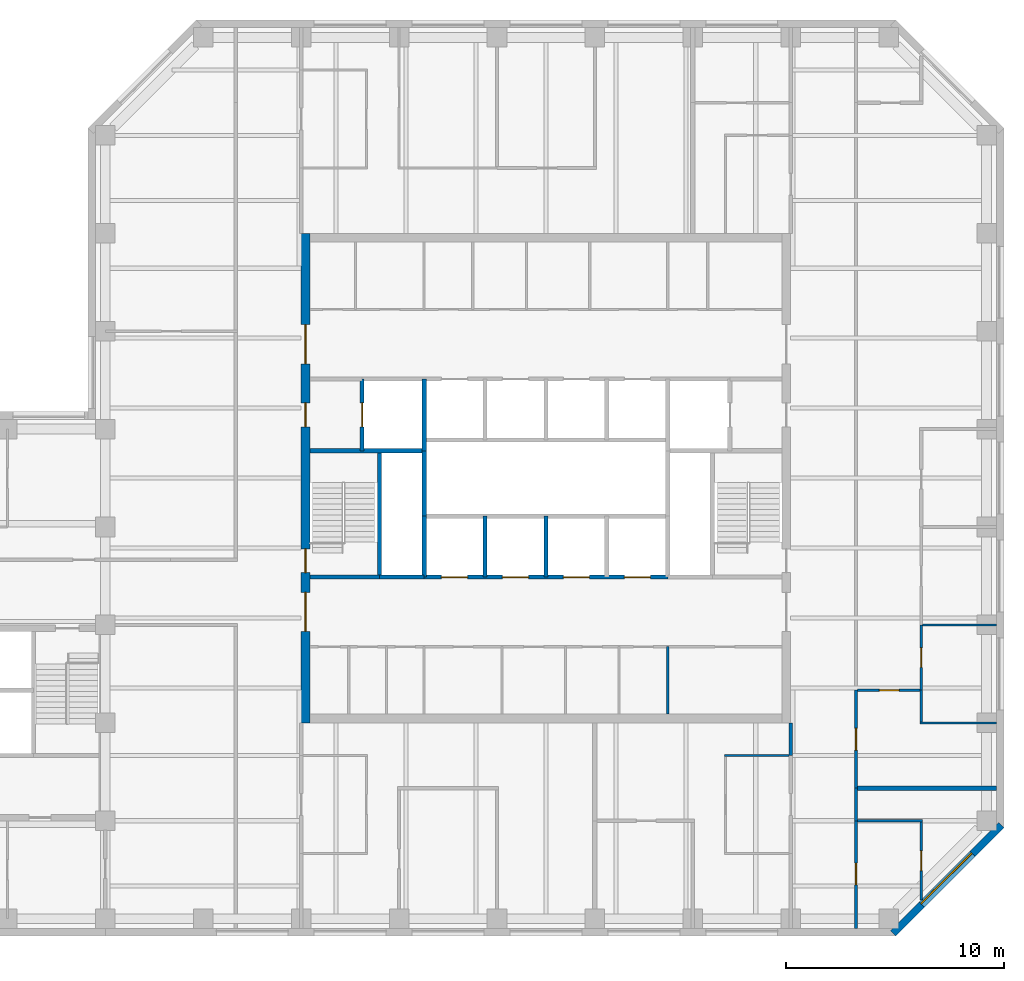
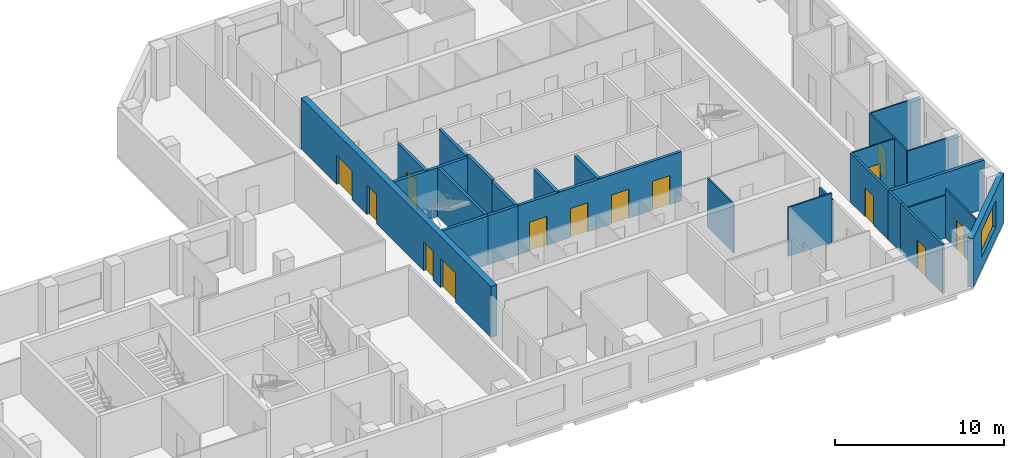
# One storey, part 5 of 9: 27 walls, 14 doors, 1 window, 15 openings.
"""IFC4 building model written with IfcOpenShell, lengths in metres."""

from ifc_helpers import new_model, si_unit, direction, frame, frame_2d, origin, place, context, subcontext, project, spatial, rectangle, extrude, material, layer, layer_set, constituent, constituent_set, type_object, element, fill, save


model = new_model("IFC4")

# Units and contexts
model_context = context("Model", 3, precision=1e-05, world=origin(), true_north=direction((0.0, 1.0)))
body_context = subcontext(model_context, "Body", "Model", "MODEL_VIEW")
ifc_project = project(units=[si_unit("LENGTHUNIT", "METRE"), si_unit("AREAUNIT", "SQUARE_METRE"), si_unit("VOLUMEUNIT", "CUBIC_METRE"), si_unit("PLANEANGLEUNIT", "RADIAN"), si_unit("MASSUNIT", "GRAM", prefix="KILO")], contexts=[model_context])

# Site, building, storey
site_placement = place(None, origin())
site = spatial("IfcSite", under=ifc_project, at=site_placement, CompositionType="ELEMENT")
building_placement = place(site_placement, origin())
building = spatial("IfcBuilding", under=site, at=building_placement, Name="Quoin Convention Tower", CompositionType="ELEMENT")
storey_placement = place(building_placement, frame((0.0, 0.0, 166.199951171875)))
storey = spatial("IfcBuildingStorey", under=building, at=storey_placement, Name="L43", CompositionType="ELEMENT", Elevation=166.199951171875)

# Wall, opening, window
ifc_material_1 = material(Name="Brick masonry", Category="masonry")
ifc_layer_1 = layer(ifc_material_1, 0.35009765625)
ifc_layer_set_1 = layer_set([ifc_layer_1], Name="Brick masonry")
wall_type_1 = type_object("IfcWallType", Name="Brick facade wall", PredefinedType="STANDARD", material=ifc_layer_set_1)
wall_1_placement = place(storey_placement, frame((72.20751953125, 39.82373046875, 0.0), z_axis=(0.0, 0.0, 1.0), x_axis=(0.707106781187, 0.707106781187, 0.0)))
wall_1 = element("IfcWall", 1, at=wall_1_placement, inside=storey, type_object=wall_type_1, Name="fw-L43-72000_40500", PredefinedType="STANDARD", context=body_context, shape_type="SweptSolid", body=[
    extrude(rectangle(XDim=7.02685546875, YDim=0.35009765625, at=frame_2d((3.513427734375, 0.0))), origin(), (0.0, 0.0, 1.0), 3.525146484375),
])
opening_1_placement = place(wall_1_placement, frame((1.86328125, 0.0, 0.89990234375)))
opening_1 = element("IfcOpeningElement", 2, at=opening_1_placement, cuts=wall_1, Name="Opening W-02", PredefinedType="OPENING", context=body_context, shape_type="SweptSolid", body=[
    extrude(rectangle(XDim=3.300048828125, YDim=1.89990234375, at=frame_2d((1.64990234375, 0.949951171875))), frame((0.0, 0.18505859375, 0.0), z_axis=(0.0, -1.0, 0.0), x_axis=(1.0, 0.0, 0.0)), (0.0, 0.0, 1.0), 0.3701171875),
])
ifc_material_2 = material(Name="Aluminium", Category="aluminium")
ifc_constituent_1 = constituent(ifc_material_2, Name="Frame")
ifc_material_3 = material(Name="Insulated glass", Category="glass")
ifc_constituent_2 = constituent(ifc_material_3, Name="Glazing")
ifc_constituent_set = constituent_set(constituents=[ifc_constituent_1, ifc_constituent_2], Name="Aluminium")
window_type = type_object("IfcWindowType", Name="Office window", PartitioningType="DOUBLE_PANEL_VERTICAL", PredefinedType="WINDOW", material=ifc_constituent_set)
window_placement = place(opening_1_placement, origin())
window = element("IfcWindow", 3, at=window_placement, inside=storey, type_object=window_type, Name="win-L43-74692_42308", OverallHeight=1.89990234375, OverallWidth=3.300048828125, PartitioningType="SINGLE_PANEL", PredefinedType="WINDOW", context=body_context, shape_type="SweptSolid", body=[
    extrude(rectangle(XDim=3.300048828125, YDim=1.89990234375, at=frame_2d((1.64990234375, 0.949951171875))), frame((0.0, 0.0849609375, 0.0), z_axis=(0.0, -1.0, 0.0), x_axis=(1.0, 0.0, 0.0)), (0.0, 0.0, 1.0), 0.06005859375),
])
fill(opening_1, window)

# Walls
ifc_material_4 = material(Name="Plasterboard")
ifc_layer_2 = layer(ifc_material_4, 0.012451171875, Name="Finish")
ifc_material_5 = material(Name="Steel stud framing", Category="steel")
ifc_layer_3 = layer(ifc_material_5, 0.074951171875, Name="Structure")
ifc_layer_4 = layer(ifc_material_4, 0.012451171875, Name="Finish")
ifc_layer_set_2 = layer_set([ifc_layer_2, ifc_layer_3, ifc_layer_4], Name="Steel stud framing")
wall_type_2 = type_object("IfcWallType", Name="Core partition wall", PredefinedType="PARTITIONING", material=ifc_layer_set_2)
wall_2_placement = place(storey_placement, frame((61.85009765625, 49.89990234375, 0.0), z_axis=(0.0, 0.0, 1.0), x_axis=(0.0, 1.0, 0.0)))
element("IfcWall", 4, at=wall_2_placement, inside=storey, type_object=wall_type_2, Name="cr-C1-L43-v16850_400", PredefinedType="PARTITIONING", context=body_context, shape_type="SweptSolid", body=[
    extrude(rectangle(XDim=3.10009765625, YDim=0.10009765625, at=frame_2d((1.550048828125, 0.0))), origin(), (0.0, 0.0, 1.0), 3.550048828125),
])
ifc_material_6 = material(Name="Concrete C50", Category="concrete")
ifc_layer_5 = layer(ifc_material_6, 0.199951171875)
ifc_layer_set_3 = layer_set([ifc_layer_5], Name="Concrete C50")
wall_type_3 = type_object("IfcWallType", Name="Core shaft wall", PredefinedType="SOLIDWALL", material=ifc_layer_set_3)
wall_3_placement = place(storey_placement, frame((48.60009765625, 56.199951171875, 0.0), z_axis=(0.0, 0.0, 1.0), x_axis=(1.0, 0.0, 0.0)))
element("IfcWall", 5, at=wall_3_placement, inside=storey, type_object=wall_type_3, Name="cr-C1-L43-h6700_3600", PredefinedType="SOLIDWALL", context=body_context, shape_type="SweptSolid", body=[
    extrude(rectangle(XDim=2.0498046875, YDim=0.199951171875, at=frame_2d((1.02490234375, 0.0))), origin(), (0.0, 0.0, 1.0), 3.550048828125),
])
wall_4_placement = place(storey_placement, frame((45.39990234375, 56.199951171875, 0.0), z_axis=(0.0, 0.0, 1.0), x_axis=(1.0, 0.0, 0.0)))
element("IfcWall", 6, at=wall_4_placement, inside=storey, type_object=wall_type_3, Name="cr-C1-L43-h6700_400", PredefinedType="SOLIDWALL", context=body_context, shape_type="SweptSolid", body=[
    extrude(rectangle(XDim=3.2001953125, YDim=0.199951171875, at=frame_2d((1.60009765625, 0.0))), origin(), (0.0, 0.0, 1.0), 3.550048828125),
])

# Wall, openings, doors
wall_5_placement = place(storey_placement, frame((50.64990234375, 56.199951171875, 0.0), z_axis=(0.0, 0.0, 1.0), x_axis=(1.0, 0.0, 0.0)))
wall_5 = element("IfcWall", 7, at=wall_5_placement, inside=storey, type_object=wall_type_3, Name="cr-C1-L43-h6700_5650", PredefinedType="SOLIDWALL", context=body_context, shape_type="SweptSolid", body=[
    extrude(rectangle(XDim=11.2001953125, YDim=0.199951171875, at=frame_2d((5.60009765625, 0.0))), origin(), (0.0, 0.0, 1.0), 3.550048828125),
])
opening_2_placement = place(wall_5_placement, frame((0.800048828125, 0.0, 0.0)))
opening_2 = element("IfcOpeningElement", 8, at=opening_2_placement, cuts=wall_5, Name="Opening LDH1", PredefinedType="OPENING", context=body_context, shape_type="SweptSolid", body=[
    extrude(rectangle(XDim=1.199951171875, YDim=2.10009765625, at=frame_2d((0.60009765625, 1.050048828125))), frame((0.0, 0.10986328125, 0.0), z_axis=(0.0, -1.0, 0.0), x_axis=(1.0, 0.0, 0.0)), (0.0, 0.0, 1.0), 0.219970703125),
])
opening_3_placement = place(wall_5_placement, frame((3.60009765625, 0.0, 0.0)))
opening_3 = element("IfcOpeningElement", 9, at=opening_3_placement, cuts=wall_5, Name="Opening LDH2", PredefinedType="OPENING", context=body_context, shape_type="SweptSolid", body=[
    extrude(rectangle(XDim=1.199951171875, YDim=2.10009765625, at=frame_2d((0.60009765625, 1.050048828125))), frame((0.0, 0.10986328125, 0.0), z_axis=(0.0, -1.0, 0.0), x_axis=(1.0, 0.0, 0.0)), (0.0, 0.0, 1.0), 0.219970703125),
])
opening_4_placement = place(wall_5_placement, frame((6.39990234375, 0.0, 0.0)))
opening_4 = element("IfcOpeningElement", 10, at=opening_4_placement, cuts=wall_5, Name="Opening LDH3", PredefinedType="OPENING", context=body_context, shape_type="SweptSolid", body=[
    extrude(rectangle(XDim=1.199951171875, YDim=2.10009765625, at=frame_2d((0.60009765625, 1.050048828125))), frame((0.0, 0.10986328125, 0.0), z_axis=(0.0, -1.0, 0.0), x_axis=(1.0, 0.0, 0.0)), (0.0, 0.0, 1.0), 0.219970703125),
])
opening_5_placement = place(wall_5_placement, frame((9.199951171875, 0.0, 0.0)))
opening_5 = element("IfcOpeningElement", 11, at=opening_5_placement, cuts=wall_5, Name="Opening LDH4", PredefinedType="OPENING", context=body_context, shape_type="SweptSolid", body=[
    extrude(rectangle(XDim=1.199951171875, YDim=2.10009765625, at=frame_2d((0.60009765625, 1.050048828125))), frame((0.0, 0.10986328125, 0.0), z_axis=(0.0, -1.0, 0.0), x_axis=(1.0, 0.0, 0.0)), (0.0, 0.0, 1.0), 0.219970703125),
])
ifc_material_7 = material(Name="Steel door leaf", Category="steel")
door_type_1 = type_object("IfcDoorType", Name="Lift landing door 1200 x 2100", OperationType="DOUBLE_DOOR_SLIDING", PredefinedType="DOOR", material=ifc_material_7)
door_1_placement = place(opening_2_placement, origin())
door_1 = element("IfcDoor", 12, at=door_1_placement, inside=storey, type_object=door_type_1, Name="cd-C1-L43-R20-lobA-LDH1", OperationType="DOUBLE_DOOR_SLIDING", OverallHeight=2.10009765625, OverallWidth=1.199951171875, PredefinedType="DOOR", context=body_context, shape_type="SweptSolid", body=[
    extrude(rectangle(XDim=1.199951171875, YDim=2.10009765625, at=frame_2d((0.60009765625, 1.050048828125))), frame((0.0, 0.02490234375, 0.0), z_axis=(0.0, -1.0, 0.0), x_axis=(1.0, 0.0, 0.0)), (0.0, 0.0, 1.0), 0.050048828125),
])
fill(opening_2, door_1)
door_2_placement = place(opening_3_placement, origin())
door_2 = element("IfcDoor", 13, at=door_2_placement, inside=storey, type_object=door_type_1, Name="cd-C1-L43-R21-lobA-LDH2", OperationType="DOUBLE_DOOR_SLIDING", OverallHeight=2.10009765625, OverallWidth=1.199951171875, PredefinedType="DOOR", context=body_context, shape_type="SweptSolid", body=[
    extrude(rectangle(XDim=1.199951171875, YDim=2.10009765625, at=frame_2d((0.60009765625, 1.050048828125))), frame((0.0, 0.02490234375, 0.0), z_axis=(0.0, -1.0, 0.0), x_axis=(1.0, 0.0, 0.0)), (0.0, 0.0, 1.0), 0.050048828125),
])
fill(opening_3, door_2)
door_3_placement = place(opening_4_placement, origin())
door_3 = element("IfcDoor", 14, at=door_3_placement, inside=storey, type_object=door_type_1, Name="cd-C1-L43-R22-lobA-LDH3", OperationType="DOUBLE_DOOR_SLIDING", OverallHeight=2.10009765625, OverallWidth=1.199951171875, PredefinedType="DOOR", context=body_context, shape_type="SweptSolid", body=[
    extrude(rectangle(XDim=1.199951171875, YDim=2.10009765625, at=frame_2d((0.60009765625, 1.050048828125))), frame((0.0, 0.02490234375, 0.0), z_axis=(0.0, -1.0, 0.0), x_axis=(1.0, 0.0, 0.0)), (0.0, 0.0, 1.0), 0.050048828125),
])
fill(opening_4, door_3)
door_4_placement = place(opening_5_placement, origin())
door_4 = element("IfcDoor", 15, at=door_4_placement, inside=storey, type_object=door_type_1, Name="cd-C1-L43-R23-lobA-LDH4", OperationType="DOUBLE_DOOR_SLIDING", OverallHeight=2.10009765625, OverallWidth=1.199951171875, PredefinedType="DOOR", context=body_context, shape_type="SweptSolid", body=[
    extrude(rectangle(XDim=1.199951171875, YDim=2.10009765625, at=frame_2d((0.60009765625, 1.050048828125))), frame((0.0, 0.02490234375, 0.0), z_axis=(0.0, -1.0, 0.0), x_axis=(1.0, 0.0, 0.0)), (0.0, 0.0, 1.0), 0.050048828125),
])
fill(opening_5, door_4)

# Wall
wall_6_placement = place(storey_placement, frame((45.39990234375, 62.0, 0.0), z_axis=(0.0, 0.0, 1.0), x_axis=(1.0, 0.0, 0.0)))
element("IfcWall", 16, at=wall_6_placement, inside=storey, type_object=wall_type_3, Name="cr-C1-L43-h12500_400", PredefinedType="SOLIDWALL", context=body_context, shape_type="SweptSolid", body=[
    extrude(rectangle(XDim=5.25, YDim=0.199951171875, at=frame_2d((2.625, 0.0))), origin(), (0.0, 0.0, 1.0), 3.550048828125),
])

# Wall, opening, door
wall_7_placement = place(storey_placement, frame((47.800048828125, 62.0, 0.0), z_axis=(0.0, 0.0, 1.0), x_axis=(0.0, 1.0, 0.0)))
wall_7 = element("IfcWall", 17, at=wall_7_placement, inside=storey, type_object=wall_type_3, Name="cr-C1-L43-v2800_12500", PredefinedType="SOLIDWALL", context=body_context, shape_type="SweptSolid", body=[
    extrude(rectangle(XDim=3.300048828125, YDim=0.199951171875, at=frame_2d((1.64990234375, 0.0))), origin(), (0.0, 0.0, 1.0), 3.550048828125),
])
opening_6_placement = place(wall_7_placement, frame((1.10009765625, 0.0, 0.0)))
opening_6 = element("IfcOpeningElement", 18, at=opening_6_placement, cuts=wall_7, Name="Opening LDFL1", PredefinedType="OPENING", context=body_context, shape_type="SweptSolid", body=[
    extrude(rectangle(XDim=1.10009765625, YDim=2.10009765625, at=frame_2d((0.550048828125, 1.050048828125))), frame((0.0, 0.10986328125, 0.0), z_axis=(0.0, -1.0, 0.0), x_axis=(1.0, 0.0, 0.0)), (0.0, 0.0, 1.0), 0.219970703125),
])
door_type_2 = type_object("IfcDoorType", Name="Lift landing door 1100 x 2100", OperationType="DOUBLE_DOOR_SLIDING", PredefinedType="DOOR", material=ifc_material_7)
door_5_placement = place(opening_6_placement, origin())
door_5 = element("IfcDoor", 19, at=door_5_placement, inside=storey, type_object=door_type_2, Name="cd-C1-L43-FLW-FFW-LDFL1", OperationType="DOUBLE_DOOR_SLIDING", OverallHeight=2.10009765625, OverallWidth=1.10009765625, PredefinedType="DOOR", context=body_context, shape_type="SweptSolid", body=[
    extrude(rectangle(XDim=1.10009765625, YDim=2.10009765625, at=frame_2d((0.550048828125, 1.050048828125))), frame((0.0, 0.02490234375, 0.0), z_axis=(0.0, -1.0, 0.0), x_axis=(1.0, 0.0, 0.0)), (0.0, 0.0, 1.0), 0.050048828125),
])
fill(opening_6, door_5)

# Walls
wall_8_placement = place(storey_placement, frame((48.60009765625, 56.199951171875, 0.0), z_axis=(0.0, 0.0, 1.0), x_axis=(0.0, 1.0, 0.0)))
element("IfcWall", 20, at=wall_8_placement, inside=storey, type_object=wall_type_3, Name="cr-C1-L43-v3600_6700", PredefinedType="SOLIDWALL", context=body_context, shape_type="SweptSolid", body=[
    extrude(rectangle(XDim=5.800048828125, YDim=0.199951171875, at=frame_2d((2.89990234375, 0.0))), origin(), (0.0, 0.0, 1.0), 3.550048828125),
])
wall_9_placement = place(storey_placement, frame((50.64990234375, 56.199951171875, 0.0), z_axis=(0.0, 0.0, 1.0), x_axis=(0.0, 1.0, 0.0)))
element("IfcWall", 21, at=wall_9_placement, inside=storey, type_object=wall_type_3, Name="cr-C1-L43-v5650_6700", PredefinedType="SOLIDWALL", context=body_context, shape_type="SweptSolid", body=[
    extrude(rectangle(XDim=2.800048828125, YDim=0.199951171875, at=frame_2d((1.39990234375, 0.0))), origin(), (0.0, 0.0, 1.0), 3.550048828125),
])
wall_10_placement = place(storey_placement, frame((50.64990234375, 62.0, 0.0), z_axis=(0.0, 0.0, 1.0), x_axis=(0.0, 1.0, 0.0)))
element("IfcWall", 22, at=wall_10_placement, inside=storey, type_object=wall_type_3, Name="cr-C1-L43-v5650_12500", PredefinedType="SOLIDWALL", context=body_context, shape_type="SweptSolid", body=[
    extrude(rectangle(XDim=3.300048828125, YDim=0.199951171875, at=frame_2d((1.64990234375, 0.0))), origin(), (0.0, 0.0, 1.0), 3.550048828125),
])
for number, where, z_axis, x_axis, name in (
    (23, (53.449951171875, 56.199951171875, 0.0), (0.0, 0.0, 1.0), (0.0, 1.0, 0.0), "cr-C1-L43-v8450_6700"),
    (24, (56.25, 56.199951171875, 0.0), (0.0, 0.0, 1.0), (0.0, 1.0, 0.0), "cr-C1-L43-v11250_6700"),
):
    element("IfcWall", number, at=place(storey_placement, frame(where, z_axis=z_axis, x_axis=x_axis)), inside=storey, type_object=wall_type_3, Name=name, PredefinedType="SOLIDWALL", context=body_context, shape_type="SweptSolid", body=[
        extrude(rectangle(XDim=2.800048828125, YDim=0.199951171875, at=frame_2d((1.39990234375, 0.0))), origin(), (0.0, 0.0, 1.0), 3.550048828125),
    ])
ifc_layer_6 = layer(ifc_material_6, 0.199951171875)
ifc_layer_set_4 = layer_set([ifc_layer_6], Name="Concrete C50")
wall_type_4 = type_object("IfcWallType", Name="Core shaft wall to the floor level over", PredefinedType="SOLIDWALL", material=ifc_layer_set_4)
wall_11_placement = place(storey_placement, frame((50.64990234375, 59.0, 0.0), z_axis=(0.0, 0.0, 1.0), x_axis=(0.0, 1.0, 0.0)))
element("IfcWall", 25, at=wall_11_placement, inside=storey, type_object=wall_type_4, Name="cr-C1-L43-v5650_9500", PredefinedType="SOLIDWALL", context=body_context, shape_type="SweptSolid", body=[
    extrude(rectangle(XDim=3.0, YDim=0.199951171875, at=frame_2d((1.5, 0.0))), origin(), (0.0, 0.0, 1.0), 3.699951171875),
])

# Wall, opening, door
ifc_layer_7 = layer(ifc_material_4, 0.012451171875, Name="Finish")
ifc_layer_8 = layer(ifc_material_5, 0.125, Name="Structure")
ifc_layer_9 = layer(ifc_material_4, 0.012451171875, Name="Finish")
ifc_layer_set_5 = layer_set([ifc_layer_7, ifc_layer_8, ifc_layer_9], Name="Steel stud framing")
wall_type_5 = type_object("IfcWallType", Name="Corridor wall 150", PredefinedType="PARTITIONING", material=ifc_layer_set_5)
wall_12_placement = place(storey_placement, frame((70.5, 40.050048828125, 0.0), z_axis=(0.0, 0.0, 1.0), x_axis=(0.0, 1.0, 0.0)))
wall_12 = element("IfcWall", 26, at=wall_12_placement, inside=storey, type_object=wall_type_5, Name="pw-L43-044", PredefinedType="PARTITIONING", context=body_context, shape_type="SweptSolid", body=[
    extrude(rectangle(XDim=4.949951171875, YDim=0.14990234375, at=frame_2d((2.47509765625, 0.0))), origin(), (0.0, 0.0, 1.0), 3.550048828125),
])
opening_7_placement = place(wall_12_placement, frame((2.0, 0.0, 0.0)))
opening_7 = element("IfcOpeningElement", 27, at=opening_7_placement, cuts=wall_12, Name="Opening DOH3-09", PredefinedType="OPENING", context=body_context, shape_type="SweptSolid", body=[
    extrude(rectangle(XDim=1.0, YDim=2.10009765625, at=frame_2d((0.5, 1.050048828125))), frame((0.0, 0.0849609375, 0.0), z_axis=(0.0, -1.0, 0.0), x_axis=(1.0, 0.0, 0.0)), (0.0, 0.0, 1.0), 0.169921875),
])
door_type_3 = type_object("IfcDoorType", Name="Tenancy entrance door 1000 x 2100", OperationType="DOUBLE_DOOR_SINGLE_SWING", PredefinedType="DOOR", material=ifc_material_7)
door_6_placement = place(opening_7_placement, frame((1.0, 0.0, 0.0), z_axis=(0.0, 0.0, 1.0), x_axis=(-1.0, 0.0, 0.0)))
door_6 = element("IfcDoor", 28, at=door_6_placement, inside=storey, type_object=door_type_3, Name="dr-L43-21", OperationType="DOUBLE_DOOR_SINGLE_SWING", OverallHeight=2.10009765625, OverallWidth=1.0, PredefinedType="DOOR", context=body_context, shape_type="SweptSolid", body=[
    extrude(rectangle(XDim=1.0, YDim=2.10009765625, at=frame_2d((0.5, 1.050048828125))), frame((0.0, 0.02490234375, 0.0), z_axis=(0.0, -1.0, 0.0), x_axis=(1.0, 0.0, 0.0)), (0.0, 0.0, 1.0), 0.050048828125),
])
fill(opening_7, door_6)

# Wall
wall_13_placement = place(storey_placement, frame((70.5, 45.0, 0.0), z_axis=(0.0, 0.0, 1.0), x_axis=(0.0, 1.0, 0.0)))
element("IfcWall", 29, at=wall_13_placement, inside=storey, type_object=wall_type_5, Name="pw-L43-053", PredefinedType="PARTITIONING", context=body_context, shape_type="SweptSolid", body=[
    extrude(rectangle(XDim=1.5, YDim=0.14990234375, at=frame_2d((0.75, 0.0))), origin(), (0.0, 0.0, 1.0), 3.550048828125),
])

# Wall, opening, door
wall_14_placement = place(storey_placement, frame((70.5, 46.5, 0.0), z_axis=(0.0, 0.0, 1.0), x_axis=(0.0, 1.0, 0.0)))
wall_14 = element("IfcWall", 30, at=wall_14_placement, inside=storey, type_object=wall_type_5, Name="pw-L43-056", PredefinedType="PARTITIONING", context=body_context, shape_type="SweptSolid", body=[
    extrude(rectangle(XDim=4.5, YDim=0.14990234375, at=frame_2d((2.25, 0.0))), origin(), (0.0, 0.0, 1.0), 3.550048828125),
])
opening_8_placement = place(wall_14_placement, frame((1.75, 0.0, 0.0)))
opening_8 = element("IfcOpeningElement", 31, at=opening_8_placement, cuts=wall_14, Name="Opening DOH3-16", PredefinedType="OPENING", context=body_context, shape_type="SweptSolid", body=[
    extrude(rectangle(XDim=1.0, YDim=2.10009765625, at=frame_2d((0.5, 1.050048828125))), frame((0.0, 0.0849609375, 0.0), z_axis=(0.0, -1.0, 0.0), x_axis=(1.0, 0.0, 0.0)), (0.0, 0.0, 1.0), 0.169921875),
])
door_7_placement = place(opening_8_placement, frame((1.0, 0.0, 0.0), z_axis=(0.0, 0.0, 1.0), x_axis=(-1.0, 0.0, 0.0)))
door_7 = element("IfcDoor", 32, at=door_7_placement, inside=storey, type_object=door_type_3, Name="dr-L43-23", OperationType="DOUBLE_DOOR_SINGLE_SWING", OverallHeight=2.10009765625, OverallWidth=1.0, PredefinedType="DOOR", context=body_context, shape_type="SweptSolid", body=[
    extrude(rectangle(XDim=1.0, YDim=2.10009765625, at=frame_2d((0.5, 1.050048828125))), frame((0.0, 0.02490234375, 0.0), z_axis=(0.0, -1.0, 0.0), x_axis=(1.0, 0.0, 0.0)), (0.0, 0.0, 1.0), 0.050048828125),
])
fill(opening_8, door_7)

# Wall
ifc_layer_10 = layer(ifc_material_4, 0.012451171875, Name="Finish")
ifc_layer_11 = layer(ifc_material_5, 0.125, Name="Structure")
ifc_layer_12 = layer(ifc_material_4, 0.012451171875, Name="Finish")
ifc_layer_set_6 = layer_set([ifc_layer_10, ifc_layer_11, ifc_layer_12], Name="Steel stud framing")
wall_type_6 = type_object("IfcWallType", Name="Corridor wall 150 under beam 528", PredefinedType="PARTITIONING", material=ifc_layer_set_6)
wall_15_placement = place(storey_placement, frame((67.5, 48.0, 0.0), z_axis=(0.0, 0.0, 1.0), x_axis=(0.0, 1.0, 0.0)))
element("IfcWall", 33, at=wall_15_placement, inside=storey, type_object=wall_type_6, Name="pw-L43-059", PredefinedType="PARTITIONING", context=body_context, shape_type="SweptSolid", body=[
    extrude(rectangle(XDim=1.5, YDim=0.14990234375, at=frame_2d((0.75, 0.0))), origin(), (0.0, 0.0, 1.0), 3.02197265625),
])

# Wall, openings, doors
ifc_layer_13 = layer(ifc_material_6, 0.39990234375)
ifc_layer_set_7 = layer_set([ifc_layer_13], Name="Concrete C50")
wall_type_7 = type_object("IfcWallType", Name="RC CORE WALL 400 C50", PredefinedType="SHEAR", material=ifc_layer_set_7)
wall_16_placement = place(storey_placement, frame((45.199951171875, 49.5, 0.0), z_axis=(0.0, 0.0, 1.0), x_axis=(0.0, 1.0, 0.0)))
wall_16 = element("IfcWall", 34, at=wall_16_placement, inside=storey, type_object=wall_type_7, Name="cwl-C1-L43-W", PredefinedType="SHEAR", context=body_context, shape_type="SweptSolid", body=[
    extrude(rectangle(XDim=22.5, YDim=0.39990234375, at=frame_2d((11.25, 0.0))), origin(), (0.0, 0.0, 1.0), 3.699951171875),
])
opening_9_placement = place(wall_16_placement, frame((4.199951171875, 0.0, 0.0)))
opening_9 = element("IfcOpeningElement", 35, at=opening_9_placement, cuts=wall_16, Name="Opening DCV3-40", PredefinedType="OPENING", context=body_context, shape_type="SweptSolid", body=[
    extrude(rectangle(XDim=1.800048828125, YDim=2.10009765625, at=frame_2d((0.89990234375, 1.050048828125))), frame((0.0, 0.2099609375, 0.0), z_axis=(0.0, -1.0, 0.0), x_axis=(1.0, 0.0, 0.0)), (0.0, 0.0, 1.0), 0.419921875),
])
opening_10_placement = place(wall_16_placement, frame((6.89990234375, 0.0, 0.0)))
opening_10 = element("IfcOpeningElement", 36, at=opening_10_placement, cuts=wall_16, Name="Opening SD1", PredefinedType="OPENING", context=body_context, shape_type="SweptSolid", body=[
    extrude(rectangle(XDim=1.10009765625, YDim=2.10009765625, at=frame_2d((0.550048828125, 1.050048828125))), frame((0.0, 0.2099609375, 0.0), z_axis=(0.0, -1.0, 0.0), x_axis=(1.0, 0.0, 0.0)), (0.0, 0.0, 1.0), 0.419921875),
])
opening_11_placement = place(wall_16_placement, frame((13.60009765625, 0.0, 0.0)))
opening_11 = element("IfcOpeningElement", 37, at=opening_11_placement, cuts=wall_16, Name="Opening DCV3-39", PredefinedType="OPENING", context=body_context, shape_type="SweptSolid", body=[
    extrude(rectangle(XDim=1.10009765625, YDim=2.10009765625, at=frame_2d((0.550048828125, 1.050048828125))), frame((0.0, 0.2099609375, 0.0), z_axis=(0.0, -1.0, 0.0), x_axis=(1.0, 0.0, 0.0)), (0.0, 0.0, 1.0), 0.419921875),
])
opening_12_placement = place(wall_16_placement, frame((16.5, 0.0, 0.0)))
opening_12 = element("IfcOpeningElement", 38, at=opening_12_placement, cuts=wall_16, Name="Opening DCV3-40", PredefinedType="OPENING", context=body_context, shape_type="SweptSolid", body=[
    extrude(rectangle(XDim=1.800048828125, YDim=2.10009765625, at=frame_2d((0.89990234375, 1.050048828125))), frame((0.0, 0.2099609375, 0.0), z_axis=(0.0, -1.0, 0.0), x_axis=(1.0, 0.0, 0.0)), (0.0, 0.0, 1.0), 0.419921875),
])
door_type_4 = type_object("IfcDoorType", Name="Fire-fighting lobby door 1100 x 2100", OperationType="SINGLE_SWING_LEFT", PredefinedType="DOOR", material=ifc_material_7)
door_8_placement = place(opening_11_placement, frame((1.10009765625, 0.0, 0.0), z_axis=(0.0, 0.0, 1.0), x_axis=(-1.0, 0.0, 0.0)))
door_8 = element("IfcDoor", 39, at=door_8_placement, inside=storey, type_object=door_type_4, Name="cd-C1-L43-FFW-W", OperationType="SINGLE_SWING_LEFT", OverallHeight=2.10009765625, OverallWidth=1.10009765625, PredefinedType="DOOR", context=body_context, shape_type="SweptSolid", body=[
    extrude(rectangle(XDim=1.10009765625, YDim=2.10009765625, at=frame_2d((0.550048828125, 1.050048828125))), frame((0.0, 0.02490234375, 0.0), z_axis=(0.0, -1.0, 0.0), x_axis=(1.0, 0.0, 0.0)), (0.0, 0.0, 1.0), 0.050048828125),
])
fill(opening_11, door_8)
door_type_5 = type_object("IfcDoorType", Name="Lift lobby door 1800 x 2100", OperationType="SINGLE_SWING_LEFT", PredefinedType="DOOR", material=ifc_material_7)
door_9_placement = place(opening_9_placement, frame((1.800048828125, 0.0, 0.0), z_axis=(0.0, 0.0, 1.0), x_axis=(-1.0, 0.0, 0.0)))
door_9 = element("IfcDoor", 40, at=door_9_placement, inside=storey, type_object=door_type_5, Name="cd-C1-L43-lobA-W", OperationType="SINGLE_SWING_LEFT", OverallHeight=2.10009765625, OverallWidth=1.800048828125, PredefinedType="DOOR", context=body_context, shape_type="SweptSolid", body=[
    extrude(rectangle(XDim=1.800048828125, YDim=2.10009765625, at=frame_2d((0.89990234375, 1.050048828125))), frame((0.0, 0.02490234375, 0.0), z_axis=(0.0, -1.0, 0.0), x_axis=(1.0, 0.0, 0.0)), (0.0, 0.0, 1.0), 0.050048828125),
])
fill(opening_9, door_9)
door_10_placement = place(opening_12_placement, frame((1.800048828125, 0.0, 0.0), z_axis=(0.0, 0.0, 1.0), x_axis=(-1.0, 0.0, 0.0)))
door_10 = element("IfcDoor", 41, at=door_10_placement, inside=storey, type_object=door_type_5, Name="cd-C1-L43-lobB-W", OperationType="SINGLE_SWING_LEFT", OverallHeight=2.10009765625, OverallWidth=1.800048828125, PredefinedType="DOOR", context=body_context, shape_type="SweptSolid", body=[
    extrude(rectangle(XDim=1.800048828125, YDim=2.10009765625, at=frame_2d((0.89990234375, 1.050048828125))), frame((0.0, 0.02490234375, 0.0), z_axis=(0.0, -1.0, 0.0), x_axis=(1.0, 0.0, 0.0)), (0.0, 0.0, 1.0), 0.050048828125),
])
fill(opening_12, door_10)
door_type_6 = type_object("IfcDoorType", Name="Stair door 1100 x 2100", OperationType="SINGLE_SWING_RIGHT", PredefinedType="DOOR", material=ifc_material_7)
door_11_placement = place(opening_10_placement, frame((1.10009765625, 0.0, 0.0), z_axis=(0.0, 0.0, 1.0), x_axis=(-1.0, 0.0, 0.0)))
door_11 = element("IfcDoor", 42, at=door_11_placement, inside=storey, type_object=door_type_6, Name="cd-C1-L43-STW-W", OperationType="SINGLE_SWING_RIGHT", OverallHeight=2.10009765625, OverallWidth=1.10009765625, PredefinedType="DOOR", context=body_context, shape_type="SweptSolid", body=[
    extrude(rectangle(XDim=1.10009765625, YDim=2.10009765625, at=frame_2d((0.550048828125, 1.050048828125))), frame((0.0, 0.02490234375, 0.0), z_axis=(0.0, -1.0, 0.0), x_axis=(1.0, 0.0, 0.0)), (0.0, 0.0, 1.0), 0.050048828125),
])
fill(opening_10, door_11)

# Walls
ifc_layer_14 = layer(ifc_material_4, 0.012451171875, Name="Finish")
ifc_layer_15 = layer(ifc_material_5, 0.074951171875, Name="Structure")
ifc_layer_16 = layer(ifc_material_4, 0.012451171875, Name="Finish")
ifc_layer_set_8 = layer_set([ifc_layer_14, ifc_layer_15, ifc_layer_16], Name="Steel stud framing")
wall_type_8 = type_object("IfcWallType", Name="Stud partition 100", PredefinedType="PARTITIONING", material=ifc_layer_set_8)
wall_17_placement = place(storey_placement, frame((64.449951171875, 48.0, 0.0), z_axis=(0.0, 0.0, 1.0), x_axis=(1.0, 0.0, 0.0)))
element("IfcWall", 43, at=wall_17_placement, inside=storey, type_object=wall_type_8, Name="pw-L43-011", PredefinedType="PARTITIONING", context=body_context, shape_type="SweptSolid", body=[
    extrude(rectangle(XDim=2.97509765625, YDim=0.10009765625, at=frame_2d((1.487548828125, 0.0))), origin(), (0.0, 0.0, 1.0), 3.550048828125),
])
wall_18_placement = place(storey_placement, frame((73.449951171875, 49.5, 0.0), z_axis=(0.0, 0.0, 1.0), x_axis=(1.0, 0.0, 0.0)))
element("IfcWall", 44, at=wall_18_placement, inside=storey, type_object=wall_type_8, Name="pw-L43-013", PredefinedType="PARTITIONING", context=body_context, shape_type="SweptSolid", body=[
    extrude(rectangle(XDim=3.5, YDim=0.10009765625, at=frame_2d((1.75, 0.0))), origin(), (0.0, 0.0, 1.0), 3.550048828125),
])

# Wall, opening, door
wall_19_placement = place(storey_placement, frame((70.574951171875, 51.0, 0.0), z_axis=(0.0, 0.0, 1.0), x_axis=(1.0, 0.0, 0.0)))
wall_19 = element("IfcWall", 45, at=wall_19_placement, inside=storey, type_object=wall_type_8, Name="pw-L43-015", PredefinedType="PARTITIONING", context=body_context, shape_type="SweptSolid", body=[
    extrude(rectangle(XDim=2.875, YDim=0.10009765625, at=frame_2d((1.4375, 0.0))), origin(), (0.0, 0.0, 1.0), 3.550048828125),
])
opening_13_placement = place(wall_19_placement, frame((1.0, 0.0, 0.0)))
opening_13 = element("IfcOpeningElement", 46, at=opening_13_placement, cuts=wall_19, Name="Opening DOH3-02", PredefinedType="OPENING", context=body_context, shape_type="SweptSolid", body=[
    extrude(rectangle(XDim=0.89990234375, YDim=2.10009765625, at=frame_2d((0.449951171875, 1.050048828125))), frame((0.0, 0.06005859375, 0.0), z_axis=(0.0, -1.0, 0.0), x_axis=(1.0, 0.0, 0.0)), (0.0, 0.0, 1.0), 0.1201171875),
])
door_type_7 = type_object("IfcDoorType", Name="Office door 900 x 2100", OperationType="SINGLE_SWING_RIGHT", PredefinedType="DOOR", material=ifc_material_7)
door_12_placement = place(opening_13_placement, origin())
door_12 = element("IfcDoor", 47, at=door_12_placement, inside=storey, type_object=door_type_7, Name="dr-L43-24", OperationType="SINGLE_SWING_RIGHT", OverallHeight=2.10009765625, OverallWidth=0.89990234375, PredefinedType="DOOR", context=body_context, shape_type="SweptSolid", body=[
    extrude(rectangle(XDim=0.89990234375, YDim=2.10009765625, at=frame_2d((0.449951171875, 1.050048828125))), frame((0.0, 0.02490234375, 0.0), z_axis=(0.0, -1.0, 0.0), x_axis=(1.0, 0.0, 0.0)), (0.0, 0.0, 1.0), 0.050048828125),
])
fill(opening_13, door_12)

# Wall
wall_20_placement = place(storey_placement, frame((73.550048828125, 54.0, 0.0), z_axis=(0.0, 0.0, 1.0), x_axis=(1.0, 0.0, 0.0)))
element("IfcWall", 48, at=wall_20_placement, inside=storey, type_object=wall_type_8, Name="pw-L43-018", PredefinedType="PARTITIONING", context=body_context, shape_type="SweptSolid", body=[
    extrude(rectangle(XDim=3.39990234375, YDim=0.10009765625, at=frame_2d((1.699951171875, 0.0))), origin(), (0.0, 0.0, 1.0), 3.550048828125),
])

# Wall, opening, door
wall_21_placement = place(storey_placement, frame((73.5, 41.363525390625, 0.0), z_axis=(0.0, 0.0, 1.0), x_axis=(0.0, 1.0, 0.0)))
wall_21 = element("IfcWall", 49, at=wall_21_placement, inside=storey, type_object=wall_type_8, Name="pw-L43-046", PredefinedType="PARTITIONING", context=body_context, shape_type="SweptSolid", body=[
    extrude(rectangle(XDim=3.58642578125, YDim=0.10009765625, at=frame_2d((1.793212890625, 0.0))), origin(), (0.0, 0.0, 1.0), 3.550048828125),
])
opening_14_placement = place(wall_21_placement, frame((1.350341796875, 0.0, 0.0)))
opening_14 = element("IfcOpeningElement", 50, at=opening_14_placement, cuts=wall_21, Name="Opening DOH3-11", PredefinedType="OPENING", context=body_context, shape_type="SweptSolid", body=[
    extrude(rectangle(XDim=0.89990234375, YDim=2.10009765625, at=frame_2d((0.449951171875, 1.050048828125))), frame((0.0, 0.06005859375, 0.0), z_axis=(0.0, -1.0, 0.0), x_axis=(1.0, 0.0, 0.0)), (0.0, 0.0, 1.0), 0.1201171875),
])
door_13_placement = place(opening_14_placement, frame((0.89990234375, 0.0, 0.0), z_axis=(0.0, 0.0, 1.0), x_axis=(-1.0, 0.0, 0.0)))
door_13 = element("IfcDoor", 51, at=door_13_placement, inside=storey, type_object=door_type_7, Name="dr-L43-22", OperationType="SINGLE_SWING_LEFT", OverallHeight=2.10009765625, OverallWidth=0.89990234375, PredefinedType="DOOR", context=body_context, shape_type="SweptSolid", body=[
    extrude(rectangle(XDim=0.89990234375, YDim=2.10009765625, at=frame_2d((0.449951171875, 1.050048828125))), frame((0.0, 0.02490234375, 0.0), z_axis=(0.0, -1.0, 0.0), x_axis=(1.0, 0.0, 0.0)), (0.0, 0.0, 1.0), 0.050048828125),
])
fill(opening_14, door_13)

# Wall
wall_22_placement = place(storey_placement, frame((73.5, 49.550048828125, 0.0), z_axis=(0.0, 0.0, 1.0), x_axis=(0.0, 1.0, 0.0)))
element("IfcWall", 52, at=wall_22_placement, inside=storey, type_object=wall_type_8, Name="pw-L43-061", PredefinedType="PARTITIONING", context=body_context, shape_type="SweptSolid", body=[
    extrude(rectangle(XDim=1.449951171875, YDim=0.10009765625, at=frame_2d((0.72509765625, 0.0))), origin(), (0.0, 0.0, 1.0), 3.550048828125),
])

# Wall, opening, door
wall_23_placement = place(storey_placement, frame((73.5, 51.0, 0.0), z_axis=(0.0, 0.0, 1.0), x_axis=(0.0, 1.0, 0.0)))
wall_23 = element("IfcWall", 53, at=wall_23_placement, inside=storey, type_object=wall_type_8, Name="pw-L43-064", PredefinedType="PARTITIONING", context=body_context, shape_type="SweptSolid", body=[
    extrude(rectangle(XDim=3.0, YDim=0.10009765625, at=frame_2d((1.5, 0.0))), origin(), (0.0, 0.0, 1.0), 3.550048828125),
])
opening_15_placement = place(wall_23_placement, frame((1.050048828125, 0.0, 0.0)))
opening_15 = element("IfcOpeningElement", 54, at=opening_15_placement, cuts=wall_23, Name="Opening DOH3-17", PredefinedType="OPENING", context=body_context, shape_type="SweptSolid", body=[
    extrude(rectangle(XDim=0.89990234375, YDim=2.10009765625, at=frame_2d((0.449951171875, 1.050048828125))), frame((0.0, 0.06005859375, 0.0), z_axis=(0.0, -1.0, 0.0), x_axis=(1.0, 0.0, 0.0)), (0.0, 0.0, 1.0), 0.1201171875),
])
door_14_placement = place(opening_15_placement, origin())
door_14 = element("IfcDoor", 55, at=door_14_placement, inside=storey, type_object=door_type_7, Name="dr-L43-25", OperationType="SINGLE_SWING_RIGHT", OverallHeight=2.10009765625, OverallWidth=0.89990234375, PredefinedType="DOOR", context=body_context, shape_type="SweptSolid", body=[
    extrude(rectangle(XDim=0.89990234375, YDim=2.10009765625, at=frame_2d((0.449951171875, 1.050048828125))), frame((0.0, 0.02490234375, 0.0), z_axis=(0.0, -1.0, 0.0), x_axis=(1.0, 0.0, 0.0)), (0.0, 0.0, 1.0), 0.050048828125),
])
fill(opening_15, door_14)

# Walls
ifc_layer_17 = layer(ifc_material_4, 0.012451171875, Name="Finish")
ifc_layer_18 = layer(ifc_material_5, 0.074951171875, Name="Structure")
ifc_layer_19 = layer(ifc_material_4, 0.012451171875, Name="Finish")
ifc_layer_set_9 = layer_set([ifc_layer_17, ifc_layer_18, ifc_layer_19], Name="Steel stud framing")
wall_type_9 = type_object("IfcWallType", Name="Stud partition 100 under beam 454", PredefinedType="PARTITIONING", material=ifc_layer_set_9)
wall_24_placement = place(storey_placement, frame((70.574951171875, 45.0, 0.0), z_axis=(0.0, 0.0, 1.0), x_axis=(1.0, 0.0, 0.0)))
element("IfcWall", 56, at=wall_24_placement, inside=storey, type_object=wall_type_9, Name="pw-L43-006", PredefinedType="PARTITIONING", context=body_context, shape_type="SweptSolid", body=[
    extrude(rectangle(XDim=2.97509765625, YDim=0.10009765625, at=frame_2d((1.487548828125, 0.0))), origin(), (0.0, 0.0, 1.0), 3.095947265625),
])
ifc_layer_20 = layer(ifc_material_4, 0.012451171875, Name="Finish")
ifc_layer_21 = layer(ifc_material_5, 0.175048828125, Name="Structure")
ifc_layer_22 = layer(ifc_material_4, 0.012451171875, Name="Finish")
ifc_layer_set_10 = layer_set([ifc_layer_20, ifc_layer_21, ifc_layer_22], Name="Steel stud framing")
wall_type_10 = type_object("IfcWallType", Name="Tenancy demising wall 200", PredefinedType="PARTITIONING", material=ifc_layer_set_10)
wall_25_placement = place(storey_placement, frame((70.574951171875, 46.5, 0.0), z_axis=(0.0, 0.0, 1.0), x_axis=(1.0, 0.0, 0.0)))
element("IfcWall", 57, at=wall_25_placement, inside=storey, type_object=wall_type_10, Name="pw-L43-009", PredefinedType="PARTITIONING", context=body_context, shape_type="SweptSolid", body=[
    extrude(rectangle(XDim=6.375, YDim=0.199951171875, at=frame_2d((3.1875, 0.0))), origin(), (0.0, 0.0, 1.0), 3.550048828125),
])

save(model, "model.ifc")
